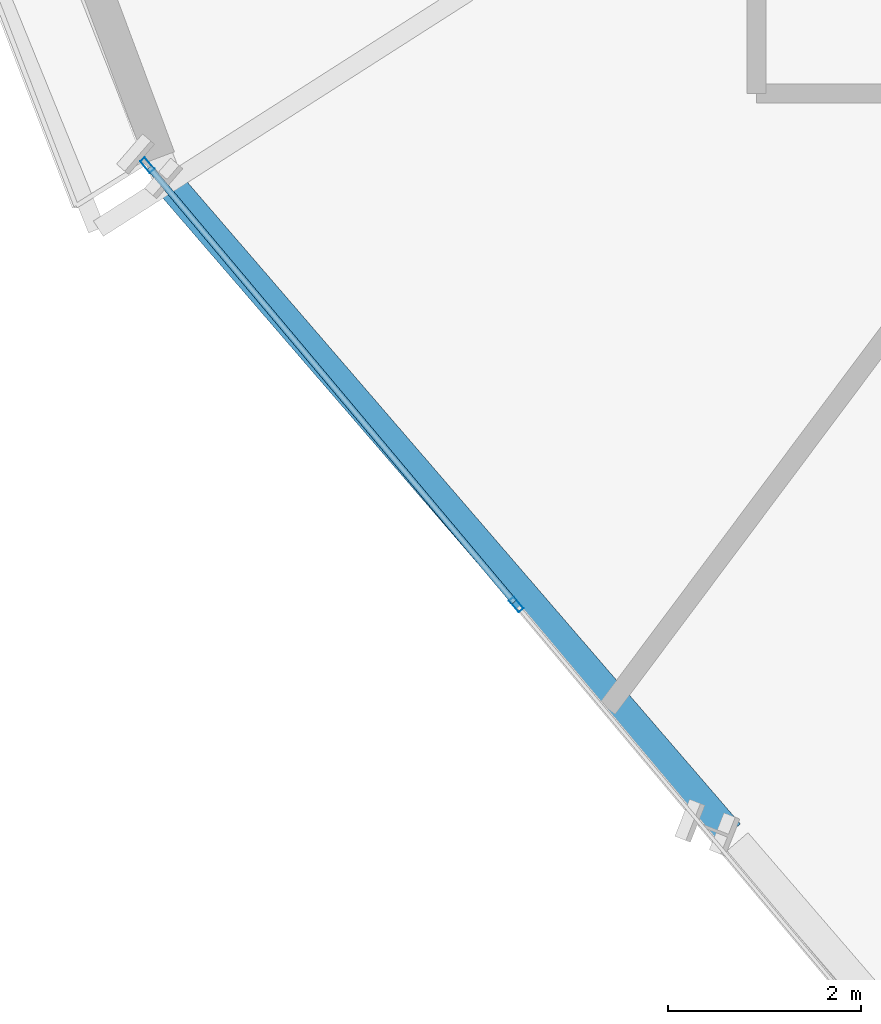
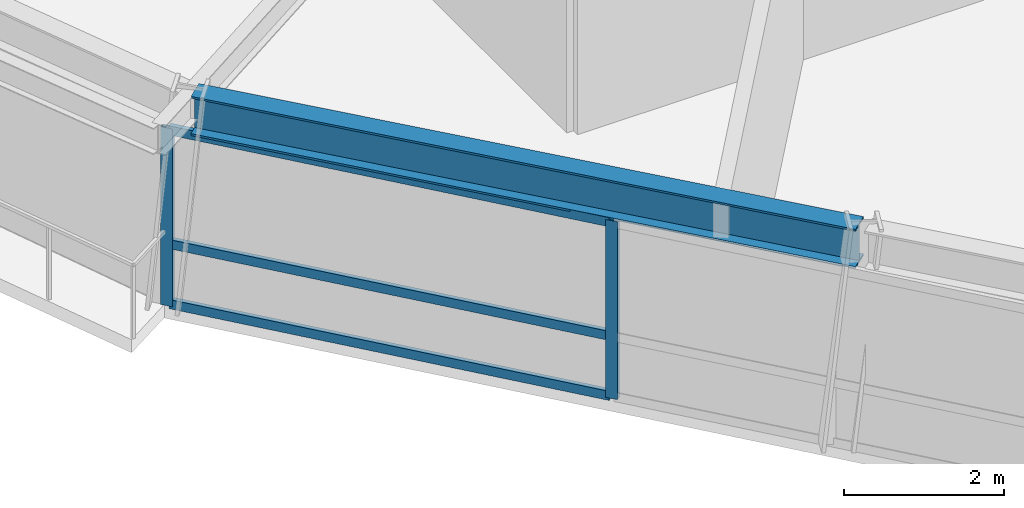
# One storey, part 3 of 15: 5 members, 1 beam, 1 element without a shape of its own.
"""IFC4 building model written with IfcOpenShell, lengths in metres."""

from ifc_helpers import new_model, si_unit, direction, frame, origin, origin_2d, place, context, subcontext, project, spatial, hollow_rectangle, i_section, extrude, source, transform, mapped, material, material_profile, profile_set, type_object, element, aggregate, save


model = new_model("IFC4")

# Units and contexts
model_context = context("Model", 3, precision=1e-05, world=origin(), true_north=direction((0.0, 1.0)))
body_context = subcontext(model_context, "Body", "Model", "MODEL_VIEW")
ifc_project = project(units=[si_unit("LENGTHUNIT", "METRE"), si_unit("AREAUNIT", "SQUARE_METRE"), si_unit("VOLUMEUNIT", "CUBIC_METRE"), si_unit("PLANEANGLEUNIT", "RADIAN"), si_unit("MASSUNIT", "GRAM", prefix="KILO")], contexts=[model_context])

# Site, building, storey
site_placement = place(None, origin())
site = spatial("IfcSite", under=ifc_project, at=site_placement, CompositionType="ELEMENT")
building_placement = place(site_placement, origin())
building = spatial("IfcBuilding", under=site, at=building_placement, Name="Olszyna Solenne Hotel", CompositionType="ELEMENT")
storey_placement = place(building_placement, frame((0.0, 0.0, 164.35009765625)))
storey = spatial("IfcBuildingStorey", under=building, at=storey_placement, Name="L43", CompositionType="ELEMENT", Elevation=164.35009765625)

# Beam
ifc_material_1 = material(Name="Steel S355J2", Category="steel")
ifc_material_profile_1 = material_profile(ifc_material_1, i_section(OverallWidth=0.300048828125, OverallDepth=0.60009765625, WebThickness=0.015380859375, FlangeThickness=0.030029296875, at=origin_2d()), Name="HEB 600", Category="load-bearing")
ifc_profile_set_1 = profile_set([ifc_material_profile_1], Name="Steel S355J2")
beam_type = type_object("IfcBeamType", Name="BM-S2", PredefinedType="BEAM", material=ifc_profile_set_1)
shared_shape_1 = source(origin(), body_context, "Body", "SweptSolid", [
    extrude(i_section(OverallWidth=0.300048828125, OverallDepth=0.60009765625, WebThickness=0.015380859375, FlangeThickness=0.030029296875, at=origin_2d()), origin(), (0.0, 0.0, 1.0), 8.82470703125),
])
beam_placement = place(storey_placement, frame((21.55810546875, 16.02783203125, 3.02978515625), z_axis=(0.652823592786, -0.757509971355, 0.0), x_axis=(0.757509971355, 0.652823592786, 0.0)))
element("IfcBeam", 1, at=beam_placement, inside=storey, type_object=beam_type, Name="Perimeter spandrel beam BM-S2 B-L43-1280", PredefinedType="BEAM", context=body_context, shape_type="MappedRepresentation", body=[
    mapped(shared_shape_1, transform((0.0, 0.0, 0.0), x_axis=(1.0, 0.0, 0.0), y_axis=(0.0, 1.0, 0.0), z_axis=(0.0, 0.0, 1.0), scale=1.0)),
])

# Curtain wall, members
ifc_material_2 = material(Name="Anodised bronze aluminium", Category="aluminium")
curtain_wall_type = type_object("IfcCurtainWallType", Name="CW-SYS-4", PredefinedType="NOTDEFINED", material=ifc_material_2)
curtain_wall_placement = place(storey_placement, origin())
curtain_wall = element("IfcCurtainWall", 2, at=curtain_wall_placement, inside=storey, type_object=curtain_wall_type, Name="Unitised curtain wall CW-SYS-4 CW-L43-01", PredefinedType="NOTDEFINED")
ifc_material_profile_2 = material_profile(ifc_material_2, hollow_rectangle(XDim=0.06494140625, YDim=0.159912109375, WallThickness=0.00390625, at=origin_2d()), Name="MULL 160x65x4", Category="load-bearing")
ifc_profile_set_2 = profile_set([ifc_material_profile_2], Name="Anodised bronze aluminium")
member_type_1 = type_object("IfcMemberType", Name="CW-M3", PredefinedType="MULLION", material=ifc_profile_set_2)
shared_shape_2 = source(origin(), body_context, "Body", "SweptSolid", [
    extrude(hollow_rectangle(XDim=0.06494140625, YDim=0.159912109375, WallThickness=0.00390625, at=origin_2d()), origin(), (0.0, 0.0, 1.0), 2.721923828125),
])
member_1_placement = place(storey_placement, frame((21.295654296875, 16.260009765625, 0.0), z_axis=(0.0, 0.0, 1.0), x_axis=(0.765950881507, 0.642899095597, 0.0)))
member_1 = element("IfcMember", 3, at=member_1_placement, type_object=member_type_1, Name="Curtain-wall mullion CW-M3 CM-L43-01-01", PredefinedType="MULLION", context=body_context, shape_type="MappedRepresentation", body=[
    mapped(shared_shape_2, transform((0.0, 0.0, 0.0), x_axis=(1.0, 0.0, 0.0), y_axis=(0.0, 1.0, 0.0), z_axis=(0.0, 0.0, 1.0), scale=1.0)),
])
member_2_placement = place(storey_placement, frame((25.112548828125, 11.712646484375, 0.0), z_axis=(0.0, 0.0, 1.0), x_axis=(0.765950881507, 0.642899095597, 0.0)))
member_2 = element("IfcMember", 4, at=member_2_placement, type_object=member_type_1, Name="Curtain-wall mullion CW-M3 CM-L43-01-02", PredefinedType="MULLION", context=body_context, shape_type="MappedRepresentation", body=[
    mapped(shared_shape_2, transform((0.0, 0.0, 0.0), x_axis=(1.0, 0.0, 0.0), y_axis=(0.0, 1.0, 0.0), z_axis=(0.0, 0.0, 1.0), scale=1.0)),
])
ifc_material_profile_3 = material_profile(ifc_material_2, hollow_rectangle(XDim=0.06494140625, YDim=0.139892578125, WallThickness=0.00390625, at=origin_2d()), Name="TRAN 140x65x4", Category="load-bearing")
ifc_profile_set_3 = profile_set([ifc_material_profile_3], Name="Anodised bronze aluminium")
member_type_2 = type_object("IfcMemberType", Name="CW-T2", PredefinedType="USERDEFINED", material=ifc_profile_set_3)
shared_shape_3 = source(origin(), body_context, "Body", "SweptSolid", [
    extrude(hollow_rectangle(XDim=0.06494140625, YDim=0.139892578125, WallThickness=0.00390625, at=origin_2d()), origin(), (0.0, 0.0, 1.0), 5.871826171875),
])
member_3_placement = place(storey_placement, frame((21.31640625, 16.235107421875, 0.032470703125), z_axis=(0.642912195208, -0.765939886188, 0.0), x_axis=(0.765939886188, 0.642912195208, 0.0)))
member_3 = element("IfcMember", 5, at=member_3_placement, type_object=member_type_2, Name="Curtain-wall transom CW-T2 CT-L43-01-01", ObjectType="TRANSOM", PredefinedType="USERDEFINED", context=body_context, shape_type="MappedRepresentation", body=[
    mapped(shared_shape_3, transform((0.0, 0.0, 0.0), x_axis=(1.0, 0.0, 0.0), y_axis=(0.0, 1.0, 0.0), z_axis=(0.0, 0.0, 1.0), scale=1.0)),
])
member_4_placement = place(storey_placement, frame((21.31640625, 16.235107421875, 0.949951171875), z_axis=(0.642912195208, -0.765939886188, 0.0), x_axis=(0.765939886188, 0.642912195208, 0.0)))
member_4 = element("IfcMember", 6, at=member_4_placement, type_object=member_type_2, Name="Curtain-wall transom CW-T2 CT-L43-01-02", ObjectType="TRANSOM", PredefinedType="USERDEFINED", context=body_context, shape_type="MappedRepresentation", body=[
    mapped(shared_shape_3, transform((0.0, 0.0, 0.0), x_axis=(1.0, 0.0, 0.0), y_axis=(0.0, 1.0, 0.0), z_axis=(0.0, 0.0, 1.0), scale=1.0)),
])
member_5_placement = place(storey_placement, frame((21.31640625, 16.235107421875, 2.689453125), z_axis=(0.642912195208, -0.765939886188, 0.0), x_axis=(0.765939886188, 0.642912195208, 0.0)))
member_5 = element("IfcMember", 7, at=member_5_placement, type_object=member_type_2, Name="Curtain-wall transom CW-T2 CT-L43-01-03", ObjectType="TRANSOM", PredefinedType="USERDEFINED", context=body_context, shape_type="MappedRepresentation", body=[
    mapped(shared_shape_3, transform((0.0, 0.0, 0.0), x_axis=(1.0, 0.0, 0.0), y_axis=(0.0, 1.0, 0.0), z_axis=(0.0, 0.0, 1.0), scale=1.0)),
])
aggregate(curtain_wall, [member_1, member_2, member_3, member_4, member_5])

save(model, "model.ifc")
